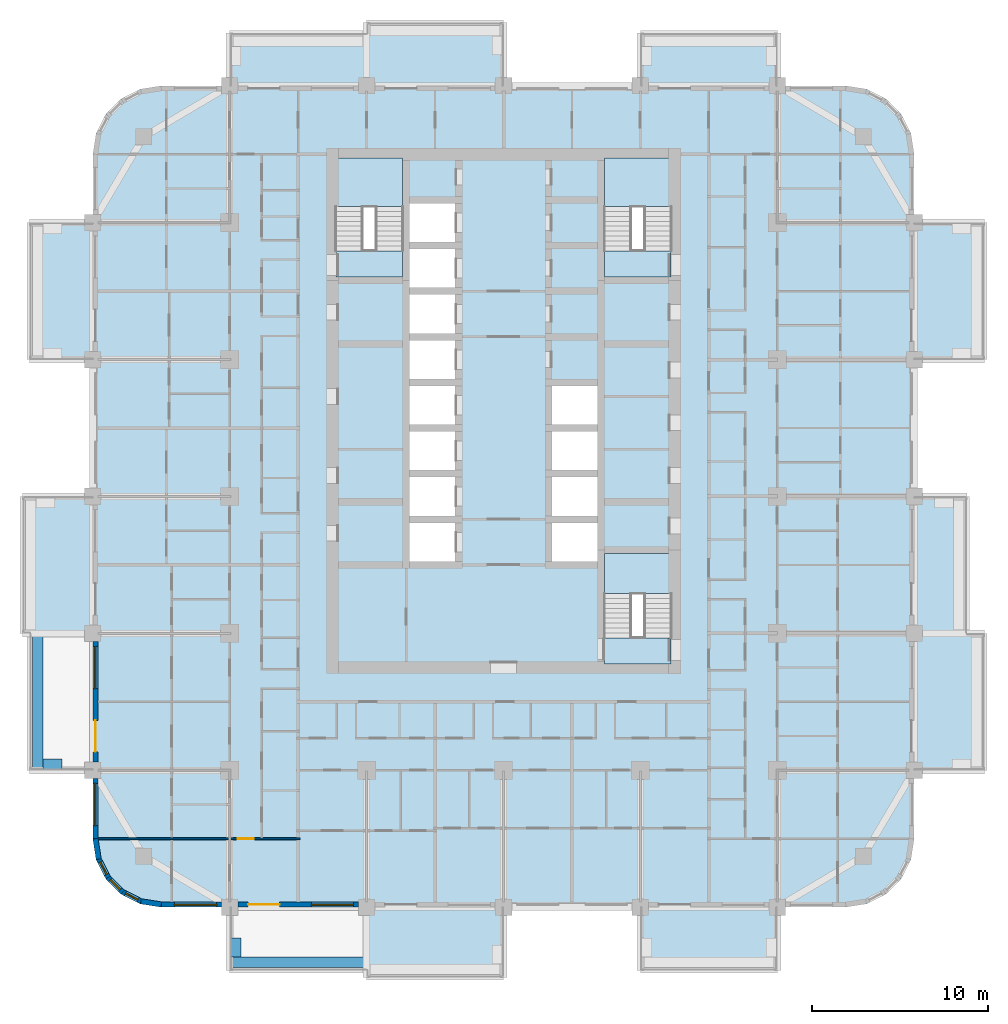
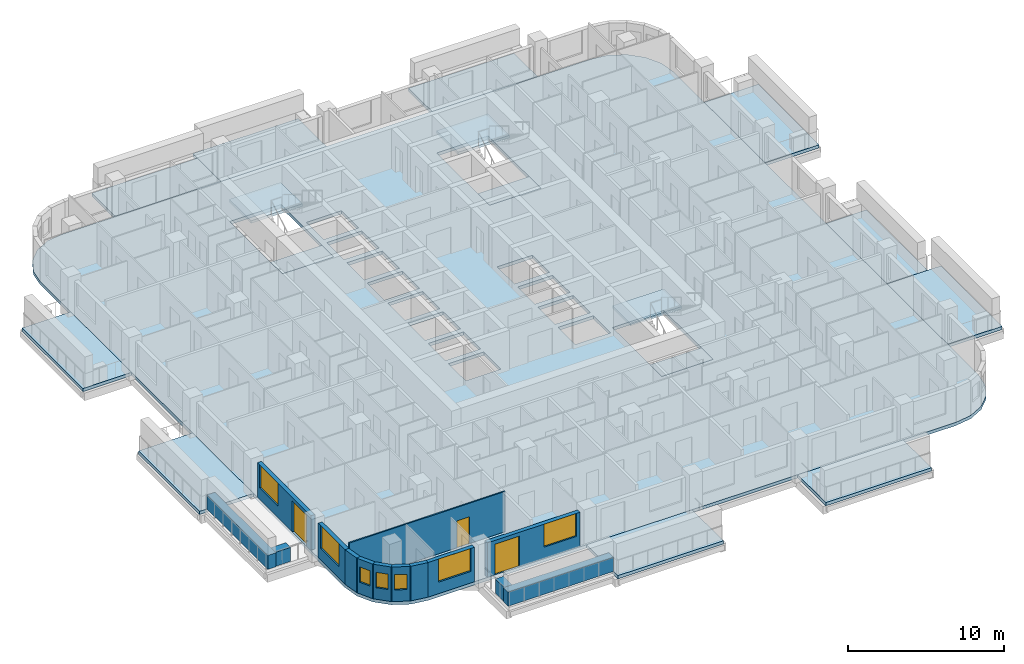
# One storey, part 2 of 18: 17 slabs, 14 walls, 7 windows, 3 doors, 10 openings, 3 elements without a shape of their own.
"""IFC4 building model written with IfcOpenShell, lengths in metres."""

from ifc_helpers import new_model, si_unit, direction, frame, frame_2d, origin, place, context, subcontext, project, spatial, polyline, rectangle, outline, extrude, material, layer, layer_set, type_object, element, fill, aggregate, save


model = new_model("IFC4")

# Units and contexts
model_context = context("Model", 3, precision=1e-05, world=origin(), true_north=direction((0.0, 1.0)))
body_context = subcontext(model_context, "Body", "Model", "MODEL_VIEW")
ifc_project = project(units=[si_unit("LENGTHUNIT", "METRE"), si_unit("AREAUNIT", "SQUARE_METRE"), si_unit("VOLUMEUNIT", "CUBIC_METRE"), si_unit("PLANEANGLEUNIT", "RADIAN"), si_unit("MASSUNIT", "GRAM", prefix="KILO")], contexts=[model_context])

# Site, building, storey
site_placement = place(None, origin())
site = spatial("IfcSite", under=ifc_project, at=site_placement, CompositionType="ELEMENT")
building_placement = place(site_placement, origin())
building = spatial("IfcBuilding", under=site, at=building_placement, Name="Ludao Terraces", CompositionType="ELEMENT")
storey_placement = place(building_placement, frame((0.0, 0.0, 61.39990234375)))
storey = spatial("IfcBuildingStorey", under=building, at=storey_placement, Name="L16", CompositionType="ELEMENT", Elevation=61.39990234375)

# Slabs
ifc_material_1 = material(Name="Concrete C40", Category="concrete")
ifc_layer_1 = layer(ifc_material_1, 0.25)
ifc_layer_set_1 = layer_set([ifc_layer_1], Name="Balcony slab 250 C40")
slab_type_1 = type_object("IfcSlabType", Name="Balcony slab 250 C40", PredefinedType="USERDEFINED", material=ifc_layer_set_1)
slab_1_placement = place(storey_placement, frame((0.0, 0.0, -0.25)))
element("IfcSlab", 1, at=slab_1_placement, inside=storey, type_object=slab_type_1, Name="Balcony L16 S2", ObjectType="BALCONY", PredefinedType="USERDEFINED", context=body_context, shape_type="SweptSolid", body=[
    extrude(outline(polyline([(77.199951171875, 37.60009765625), (85.0, 37.60009765625), (85.0, 41.60009765625), (77.199951171875, 41.60009765625), (77.199951171875, 37.60009765625)])), origin(), (0.0, 0.0, 1.0), 0.25),
])
slab_2_placement = place(storey_placement, frame((0.0, 0.0, -0.25)))
element("IfcSlab", 2, at=slab_2_placement, inside=storey, type_object=slab_type_1, Name="Balcony L16 S4", ObjectType="BALCONY", PredefinedType="USERDEFINED", context=body_context, shape_type="SweptSolid", body=[
    extrude(outline(polyline([(92.800048828125, 38.0), (100.60009765625, 38.0), (100.60009765625, 41.60009765625), (92.800048828125, 41.60009765625), (92.800048828125, 38.0)])), origin(), (0.0, 0.0, 1.0), 0.25),
])
slab_3_placement = place(storey_placement, frame((0.0, 0.0, -0.25)))
element("IfcSlab", 3, at=slab_3_placement, inside=storey, type_object=slab_type_1, Name="Balcony L16 E1", ObjectType="BALCONY", PredefinedType="USERDEFINED", context=body_context, shape_type="SweptSolid", body=[
    extrude(outline(polyline([(108.39990234375, 49.39990234375), (112.39990234375, 49.39990234375), (112.39990234375, 57.199951171875), (108.39990234375, 57.199951171875), (108.39990234375, 49.39990234375)])), origin(), (0.0, 0.0, 1.0), 0.25),
])
slab_4_placement = place(storey_placement, frame((0.0, 0.0, -0.25)))
element("IfcSlab", 4, at=slab_4_placement, inside=storey, type_object=slab_type_1, Name="Balcony L16 E2", ObjectType="BALCONY", PredefinedType="USERDEFINED", context=body_context, shape_type="SweptSolid", body=[
    extrude(outline(polyline([(108.39990234375, 57.199951171875), (111.39990234375, 57.199951171875), (111.39990234375, 65.0), (108.39990234375, 65.0), (108.39990234375, 57.199951171875)])), origin(), (0.0, 0.0, 1.0), 0.25),
])
slab_5_placement = place(storey_placement, frame((0.0, 0.0, -0.25)))
element("IfcSlab", 5, at=slab_5_placement, inside=storey, type_object=slab_type_1, Name="Balcony L16 E4", ObjectType="BALCONY", PredefinedType="USERDEFINED", context=body_context, shape_type="SweptSolid", body=[
    extrude(outline(polyline([(108.39990234375, 72.800048828125), (112.39990234375, 72.800048828125), (112.39990234375, 80.60009765625), (108.39990234375, 80.60009765625), (108.39990234375, 72.800048828125)])), origin(), (0.0, 0.0, 1.0), 0.25),
])
slab_6_placement = place(storey_placement, frame((0.0, 0.0, -0.25)))
element("IfcSlab", 6, at=slab_6_placement, inside=storey, type_object=slab_type_1, Name="Balcony L16 N1", ObjectType="BALCONY", PredefinedType="USERDEFINED", context=body_context, shape_type="SweptSolid", body=[
    extrude(outline(polyline([(69.39990234375, 88.39990234375), (77.199951171875, 88.39990234375), (77.199951171875, 91.39990234375), (69.39990234375, 91.39990234375), (69.39990234375, 88.39990234375)])), origin(), (0.0, 0.0, 1.0), 0.25),
])
slab_7_placement = place(storey_placement, frame((0.0, 0.0, -0.25)))
element("IfcSlab", 7, at=slab_7_placement, inside=storey, type_object=slab_type_1, Name="Balcony L16 N2", ObjectType="BALCONY", PredefinedType="USERDEFINED", context=body_context, shape_type="SweptSolid", body=[
    extrude(outline(polyline([(77.199951171875, 88.39990234375), (85.0, 88.39990234375), (85.0, 92.0), (77.199951171875, 92.0), (77.199951171875, 88.39990234375)])), origin(), (0.0, 0.0, 1.0), 0.25),
])
slab_8_placement = place(storey_placement, frame((0.0, 0.0, -0.25)))
element("IfcSlab", 8, at=slab_8_placement, inside=storey, type_object=slab_type_1, Name="Balcony L16 N4", ObjectType="BALCONY", PredefinedType="USERDEFINED", context=body_context, shape_type="SweptSolid", body=[
    extrude(outline(polyline([(92.800048828125, 88.39990234375), (100.60009765625, 88.39990234375), (100.60009765625, 91.39990234375), (92.800048828125, 91.39990234375), (92.800048828125, 88.39990234375)])), origin(), (0.0, 0.0, 1.0), 0.25),
])
slab_9_placement = place(storey_placement, frame((0.0, 0.0, -0.25)))
element("IfcSlab", 9, at=slab_9_placement, inside=storey, type_object=slab_type_1, Name="Balcony L16 W2", ObjectType="BALCONY", PredefinedType="USERDEFINED", context=body_context, shape_type="SweptSolid", body=[
    extrude(outline(polyline([(57.60009765625, 57.199951171875), (61.60009765625, 57.199951171875), (61.60009765625, 65.0), (57.60009765625, 65.0), (57.60009765625, 57.199951171875)])), origin(), (0.0, 0.0, 1.0), 0.25),
])
slab_10_placement = place(storey_placement, frame((0.0, 0.0, -0.25)))
element("IfcSlab", 10, at=slab_10_placement, inside=storey, type_object=slab_type_1, Name="Balcony L16 W4", ObjectType="BALCONY", PredefinedType="USERDEFINED", context=body_context, shape_type="SweptSolid", body=[
    extrude(outline(polyline([(58.0, 72.800048828125), (61.60009765625, 72.800048828125), (61.60009765625, 80.60009765625), (58.0, 80.60009765625), (58.0, 72.800048828125)])), origin(), (0.0, 0.0, 1.0), 0.25),
])
ifc_layer_2 = layer(ifc_material_1, 0.25)
ifc_layer_set_2 = layer_set([ifc_layer_2], Name="Floor slab 250 C40")
slab_type_2 = type_object("IfcSlabType", Name="Floor slab 250 C40", PredefinedType="FLOOR", material=ifc_layer_set_2)
slab_11_placement = place(storey_placement, frame((0.0, 0.0, -0.25)))
element("IfcSlab", 11, at=slab_11_placement, inside=storey, type_object=slab_type_2, Name="Slab L16", PredefinedType="FLOOR", context=body_context, shape_type="SweptSolid", body=[
    extrude(outline(polyline([(104.5, 41.60009765625), (105.705078125, 41.790771484375), (106.79248046875, 42.3447265625), (107.6552734375, 43.20751953125), (108.209228515625, 44.294921875), (108.39990234375, 45.5), (108.39990234375, 84.5), (108.209228515625, 85.705078125), (107.6552734375, 86.79248046875), (106.79248046875, 87.6552734375), (105.705078125, 88.209228515625), (104.5, 88.39990234375), (65.5, 88.39990234375), (64.294921875, 88.209228515625), (63.20751953125, 87.6552734375), (62.3447265625, 86.79248046875), (61.790771484375, 85.705078125), (61.60009765625, 84.5), (61.60009765625, 45.5), (61.790771484375, 44.294921875), (62.3447265625, 43.20751953125), (63.20751953125, 42.3447265625), (64.294921875, 41.790771484375), (65.5, 41.60009765625), (104.5, 41.60009765625)]), holes=[polyline([(79.64990234375, 61.300048828125), (82.25, 61.300048828125), (82.25, 63.5), (79.64990234375, 63.5), (79.64990234375, 61.300048828125)]), polyline([(79.64990234375, 63.89990234375), (82.25, 63.89990234375), (82.25, 66.10009765625), (79.64990234375, 66.10009765625), (79.64990234375, 63.89990234375)]), polyline([(79.64990234375, 66.5), (82.25, 66.5), (82.25, 68.699951171875), (79.64990234375, 68.699951171875), (79.64990234375, 66.5)]), polyline([(79.64990234375, 69.10009765625), (82.25, 69.10009765625), (82.25, 71.300048828125), (79.64990234375, 71.300048828125), (79.64990234375, 69.10009765625)]), polyline([(79.64990234375, 71.699951171875), (82.25, 71.699951171875), (82.25, 73.89990234375), (79.64990234375, 73.89990234375), (79.64990234375, 71.699951171875)]), polyline([(79.64990234375, 74.300048828125), (82.25, 74.300048828125), (82.25, 76.5), (79.64990234375, 76.5), (79.64990234375, 74.300048828125)]), polyline([(79.64990234375, 76.89990234375), (82.25, 76.89990234375), (82.25, 79.10009765625), (79.64990234375, 79.10009765625), (79.64990234375, 76.89990234375)]), polyline([(79.64990234375, 79.5), (82.25, 79.5), (82.25, 81.699951171875), (79.64990234375, 81.699951171875), (79.64990234375, 79.5)]), polyline([(87.75, 61.300048828125), (90.35009765625, 61.300048828125), (90.35009765625, 63.5), (87.75, 63.5), (87.75, 61.300048828125)]), polyline([(87.75, 63.89990234375), (90.35009765625, 63.89990234375), (90.35009765625, 66.10009765625), (87.75, 66.10009765625), (87.75, 63.89990234375)]), polyline([(87.75, 66.5), (90.35009765625, 66.5), (90.35009765625, 68.699951171875), (87.75, 68.699951171875), (87.75, 66.5)]), polyline([(87.75, 69.10009765625), (90.35009765625, 69.10009765625), (90.35009765625, 71.300048828125), (87.75, 71.300048828125), (87.75, 69.10009765625)]), polyline([(75.449951171875, 77.5), (79.25, 77.5), (79.25, 84.239990234375), (75.449951171875, 84.239990234375), (75.449951171875, 77.5)]), polyline([(90.75, 77.5), (94.550048828125, 77.5), (94.550048828125, 84.239990234375), (90.75, 84.239990234375), (90.75, 77.5)]), polyline([(90.75, 55.449951171875), (94.550048828125, 55.449951171875), (94.550048828125, 61.75), (90.75, 61.75), (90.75, 55.449951171875)])]), origin(), (0.0, 0.0, 1.0), 0.25),
])

# Stair, slabs
stair_type = type_object("IfcStairType", Name="INT Stair", PredefinedType="HALF_TURN_STAIR", material=ifc_material_1)
stair_1_placement = place(storey_placement, origin())
stair_1 = element("IfcStair", 12, at=stair_1_placement, inside=storey, type_object=stair_type, Name="EXIT STAIR 1", PredefinedType="HALF_TURN_STAIR")
ifc_layer_3 = layer(ifc_material_1, 0.199951171875)
ifc_layer_set_3 = layer_set([ifc_layer_3], Name="INT Stair landing 200")
slab_type_3 = type_object("IfcSlabType", Name="INT Stair landing 200", PredefinedType="LANDING", material=ifc_layer_set_3)
slab_12_placement = place(storey_placement, frame((0.0, 0.0, 1.5)))
slab_12 = element("IfcSlab", 13, at=slab_12_placement, type_object=slab_type_3, Name="ST1 landing 1", PredefinedType="LANDING", context=body_context, shape_type="SweptSolid", body=[
    extrude(outline(polyline([(75.449951171875, 81.52001953125), (79.25, 81.52001953125), (79.25, 84.300048828125), (75.449951171875, 84.300048828125), (75.449951171875, 81.52001953125)])), origin(), (0.0, 0.0, 1.0), 0.2001953125),
])
slab_13_placement = place(storey_placement, frame((0.0, 0.0, -0.199951171875)))
slab_13 = element("IfcSlab", 14, at=slab_13_placement, type_object=slab_type_3, Name="ST1 landing 2", PredefinedType="LANDING", context=body_context, shape_type="SweptSolid", body=[
    extrude(outline(polyline([(75.449951171875, 77.5), (79.25, 77.5), (79.25, 79.0), (75.449951171875, 79.0), (75.449951171875, 77.5)])), origin(), (0.0, 0.0, 1.0), 0.199951171875),
])
aggregate(stair_1, [slab_12, slab_13])

stair_2_placement = place(storey_placement, origin())
stair_2 = element("IfcStair", 15, at=stair_2_placement, inside=storey, type_object=stair_type, Name="EXIT STAIR 2", PredefinedType="HALF_TURN_STAIR")
slab_14_placement = place(storey_placement, frame((0.0, 0.0, 1.5)))
slab_14 = element("IfcSlab", 16, at=slab_14_placement, type_object=slab_type_3, Name="ST2 landing 1", PredefinedType="LANDING", context=body_context, shape_type="SweptSolid", body=[
    extrude(outline(polyline([(90.75, 81.52001953125), (94.550048828125, 81.52001953125), (94.550048828125, 84.300048828125), (90.75, 84.300048828125), (90.75, 81.52001953125)])), origin(), (0.0, 0.0, 1.0), 0.2001953125),
])
slab_15_placement = place(storey_placement, frame((0.0, 0.0, -0.199951171875)))
slab_15 = element("IfcSlab", 17, at=slab_15_placement, type_object=slab_type_3, Name="ST2 landing 2", PredefinedType="LANDING", context=body_context, shape_type="SweptSolid", body=[
    extrude(outline(polyline([(90.75, 77.5), (94.550048828125, 77.5), (94.550048828125, 79.0), (90.75, 79.0), (90.75, 77.5)])), origin(), (0.0, 0.0, 1.0), 0.199951171875),
])
aggregate(stair_2, [slab_14, slab_15])

stair_3_placement = place(storey_placement, origin())
stair_3 = element("IfcStair", 18, at=stair_3_placement, inside=storey, type_object=stair_type, Name="EXIT STAIR 3", PredefinedType="HALF_TURN_STAIR")
slab_16_placement = place(storey_placement, frame((0.0, 0.0, 1.5)))
slab_16 = element("IfcSlab", 19, at=slab_16_placement, type_object=slab_type_3, Name="ST3 landing 1", PredefinedType="LANDING", context=body_context, shape_type="SweptSolid", body=[
    extrude(outline(polyline([(90.75, 59.469970703125), (94.550048828125, 59.469970703125), (94.550048828125, 61.75), (90.75, 61.75), (90.75, 59.469970703125)])), origin(), (0.0, 0.0, 1.0), 0.2001953125),
])
slab_17_placement = place(storey_placement, frame((0.0, 0.0, -0.199951171875)))
slab_17 = element("IfcSlab", 20, at=slab_17_placement, type_object=slab_type_3, Name="ST3 landing 2", PredefinedType="LANDING", context=body_context, shape_type="SweptSolid", body=[
    extrude(outline(polyline([(90.75, 55.449951171875), (94.550048828125, 55.449951171875), (94.550048828125, 56.949951171875), (90.75, 56.949951171875), (90.75, 55.449951171875)])), origin(), (0.0, 0.0, 1.0), 0.199951171875),
])
aggregate(stair_3, [slab_16, slab_17])

# Walls
ifc_layer_4 = layer(ifc_material_1, 0.60009765625)
ifc_layer_set_4 = layer_set([ifc_layer_4], Name="ENV Planter trough 600")
wall_type_1 = type_object("IfcWallType", Name="ENV Planter trough 600", PredefinedType="USERDEFINED", material=ifc_layer_set_4)
wall_1_placement = place(storey_placement, frame((69.39990234375, 38.449951171875, 0.0), z_axis=(0.0, 0.0, 1.0), x_axis=(1.0, 0.0, 0.0)))
element("IfcWall", 21, at=wall_1_placement, inside=storey, type_object=wall_type_1, Name="PL-L16-S1", ObjectType="PLANTER", PredefinedType="USERDEFINED", context=body_context, shape_type="SweptSolid", body=[
    extrude(rectangle(XDim=7.800048828125, YDim=0.60009765625, at=frame_2d((3.89990234375, 0.0))), origin(), (0.0, 0.0, 1.0), 1.10009765625),
])
wall_2_placement = place(storey_placement, frame((69.75, 38.75, 0.0), z_axis=(0.0, 0.0, 1.0), x_axis=(0.0, 1.0, 0.0)))
element("IfcWall", 22, at=wall_2_placement, inside=storey, type_object=wall_type_1, Name="PL-L16-S1-SA", ObjectType="PLANTER", PredefinedType="USERDEFINED", context=body_context, shape_type="SweptSolid", body=[
    extrude(rectangle(XDim=1.10009765625, YDim=0.60009765625, at=frame_2d((0.550048828125, 0.0))), origin(), (0.0, 0.0, 1.0), 1.10009765625),
])
wall_3_placement = place(storey_placement, frame((58.449951171875, 49.39990234375, 0.0), z_axis=(0.0, 0.0, 1.0), x_axis=(0.0, 1.0, 0.0)))
element("IfcWall", 23, at=wall_3_placement, inside=storey, type_object=wall_type_1, Name="PL-L16-W1", ObjectType="PLANTER", PredefinedType="USERDEFINED", context=body_context, shape_type="SweptSolid", body=[
    extrude(rectangle(XDim=7.800048828125, YDim=0.60009765625, at=frame_2d((3.89990234375, 0.0))), origin(), (0.0, 0.0, 1.0), 1.10009765625),
])
wall_4_placement = place(storey_placement, frame((58.75, 49.75, 0.0), z_axis=(0.0, 0.0, 1.0), x_axis=(1.0, 0.0, 0.0)))
element("IfcWall", 24, at=wall_4_placement, inside=storey, type_object=wall_type_1, Name="PL-L16-W1-SA", ObjectType="PLANTER", PredefinedType="USERDEFINED", context=body_context, shape_type="SweptSolid", body=[
    extrude(rectangle(XDim=1.10009765625, YDim=0.60009765625, at=frame_2d((0.550048828125, 0.0))), origin(), (0.0, 0.0, 1.0), 1.10009765625),
])

# Wall, opening, window
ifc_material_2 = material(Name="Granite cladding", Category="masonry")
ifc_layer_5 = layer(ifc_material_2, 0.0400390625, Category="stone")
ifc_material_3 = material(Name="Mineral wool")
ifc_layer_6 = layer(ifc_material_3, 0.06005859375)
ifc_layer_7 = layer(ifc_material_1, 0.199951171875, Category="concrete")
ifc_layer_set_5 = layer_set([ifc_layer_5, ifc_layer_6, ifc_layer_7], Name="ENV Stone-clad wall 300")
wall_type_2 = type_object("IfcWallType", Name="ENV Stone-clad wall 300", PredefinedType="SOLIDWALL", material=ifc_layer_set_5)
wall_5_placement = place(storey_placement, frame((65.5, 41.75, 0.0), z_axis=(0.0, 0.0, 1.0), x_axis=(1.0, 0.0, 0.0)))
wall_5 = element("IfcWall", 25, at=wall_5_placement, inside=storey, type_object=wall_type_2, Name="EW-L16-S1", PredefinedType="SOLIDWALL", context=body_context, shape_type="SweptSolid", body=[
    extrude(rectangle(XDim=3.425048828125, YDim=0.300048828125, at=frame_2d((1.71240234375, 0.0))), origin(), (0.0, 0.0, 1.0), 2.7001953125),
])
opening_1_placement = place(wall_5_placement, frame((0.75, 0.0, 0.89990234375)))
opening_1 = element("IfcOpeningElement", 26, at=opening_1_placement, cuts=wall_5, Name="Opening W1", PredefinedType="OPENING", context=body_context, shape_type="SweptSolid", body=[
    extrude(rectangle(XDim=2.39990234375, YDim=1.800048828125, at=frame_2d((1.199951171875, 0.89990234375))), frame((0.0, 0.16015625, 0.0), z_axis=(0.0, -1.0, 0.0), x_axis=(1.0, 0.0, 0.0)), (0.0, 0.0, 1.0), 0.320068359375),
])
ifc_material_4 = material(Name="Clear glass in aluminium frame", Category="aluminium")
ifc_layer_8 = layer(ifc_material_4, 0.06005859375)
ifc_layer_set_6 = layer_set([ifc_layer_8], Name="ENV Window W1 2400x1800")
window_type_1 = type_object("IfcWindowType", Name="ENV Window W1 2400x1800", PartitioningType="DOUBLE_PANEL_VERTICAL", PredefinedType="WINDOW", material=ifc_layer_set_6)
window_1_placement = place(opening_1_placement, origin())
window_1 = element("IfcWindow", 27, at=window_1_placement, inside=storey, type_object=window_type_1, Name="W-L16-S1-1", OverallHeight=1.800048828125, OverallWidth=2.39990234375, PartitioningType="DOUBLE_PANEL_VERTICAL", PredefinedType="WINDOW", context=body_context, shape_type="SweptSolid", body=[
    extrude(rectangle(XDim=2.39990234375, YDim=1.800048828125, at=frame_2d((1.199951171875, 0.89990234375))), frame((0.0, 0.030029296875, 0.0), z_axis=(0.0, -1.0, 0.0), x_axis=(1.0, 0.0, 0.0)), (0.0, 0.0, 1.0), 0.06005859375),
])
fill(opening_1, window_1)

# Wall, openings, door, window
wall_6_placement = place(storey_placement, frame((69.875, 41.75, 0.0), z_axis=(0.0, 0.0, 1.0), x_axis=(1.0, 0.0, 0.0)))
wall_6 = element("IfcWall", 28, at=wall_6_placement, inside=storey, type_object=wall_type_2, Name="EW-L16-S2", PredefinedType="SOLIDWALL", context=body_context, shape_type="SweptSolid", body=[
    extrude(rectangle(XDim=6.85009765625, YDim=0.300048828125, at=frame_2d((3.425048828125, 0.0))), origin(), (0.0, 0.0, 1.0), 2.7001953125),
])
opening_2_placement = place(wall_6_placement, frame((0.574951171875, 0.0, 0.0)))
opening_2 = element("IfcOpeningElement", 29, at=opening_2_placement, cuts=wall_6, Name="Opening BD", PredefinedType="OPENING", context=body_context, shape_type="SweptSolid", body=[
    extrude(rectangle(XDim=1.800048828125, YDim=2.39990234375, at=frame_2d((0.89990234375, 1.199951171875))), frame((0.0, 0.16015625, 0.0), z_axis=(0.0, -1.0, 0.0), x_axis=(1.0, 0.0, 0.0)), (0.0, 0.0, 1.0), 0.320068359375),
])
opening_3_placement = place(wall_6_placement, frame((4.175048828125, 0.0, 0.89990234375)))
opening_3 = element("IfcOpeningElement", 30, at=opening_3_placement, cuts=wall_6, Name="Opening W1", PredefinedType="OPENING", context=body_context, shape_type="SweptSolid", body=[
    extrude(rectangle(XDim=2.39990234375, YDim=1.800048828125, at=frame_2d((1.199951171875, 0.89990234375))), frame((0.0, 0.16015625, 0.0), z_axis=(0.0, -1.0, 0.0), x_axis=(1.0, 0.0, 0.0)), (0.0, 0.0, 1.0), 0.320068359375),
])
ifc_material_5 = material(Name="Aluminium glazed door", Category="aluminium")
ifc_layer_9 = layer(ifc_material_5, 0.06005859375)
ifc_layer_set_7 = layer_set([ifc_layer_9], Name="ENV Balcony door BD 1800x2400")
door_type_1 = type_object("IfcDoorType", Name="ENV Balcony door BD 1800x2400", OperationType="DOUBLE_DOOR_SINGLE_SWING", PredefinedType="DOOR", material=ifc_layer_set_7)
door_1_placement = place(opening_2_placement, origin())
door_1 = element("IfcDoor", 31, at=door_1_placement, inside=storey, type_object=door_type_1, Name="BD-L16-S2-1", OperationType="DOUBLE_DOOR_SINGLE_SWING", OverallHeight=2.39990234375, OverallWidth=1.800048828125, PredefinedType="DOOR", context=body_context, shape_type="SweptSolid", body=[
    extrude(rectangle(XDim=1.800048828125, YDim=2.39990234375, at=frame_2d((0.89990234375, 1.199951171875))), frame((0.0, 0.02490234375, 0.0), z_axis=(0.0, -1.0, 0.0), x_axis=(1.0, 0.0, 0.0)), (0.0, 0.0, 1.0), 0.050048828125),
])
fill(opening_2, door_1)
window_2_placement = place(opening_3_placement, origin())
window_2 = element("IfcWindow", 32, at=window_2_placement, inside=storey, type_object=window_type_1, Name="W-L16-S2-2", OverallHeight=1.800048828125, OverallWidth=2.39990234375, PartitioningType="DOUBLE_PANEL_VERTICAL", PredefinedType="WINDOW", context=body_context, shape_type="SweptSolid", body=[
    extrude(rectangle(XDim=2.39990234375, YDim=1.800048828125, at=frame_2d((1.199951171875, 0.89990234375))), frame((0.0, 0.030029296875, 0.0), z_axis=(0.0, -1.0, 0.0), x_axis=(1.0, 0.0, 0.0)), (0.0, 0.0, 1.0), 0.06005859375),
])
fill(opening_3, window_2)

# Wall, opening, window
wall_7_placement = place(storey_placement, frame((61.75, 45.5, 0.0), z_axis=(0.0, 0.0, 1.0), x_axis=(0.0, 1.0, 0.0)))
wall_7 = element("IfcWall", 33, at=wall_7_placement, inside=storey, type_object=wall_type_2, Name="EW-L16-W1", PredefinedType="SOLIDWALL", context=body_context, shape_type="SweptSolid", body=[
    extrude(rectangle(XDim=3.425048828125, YDim=0.300048828125, at=frame_2d((1.71240234375, 0.0))), origin(), (0.0, 0.0, 1.0), 2.7001953125),
])
opening_4_placement = place(wall_7_placement, frame((0.75, 0.0, 0.89990234375)))
opening_4 = element("IfcOpeningElement", 34, at=opening_4_placement, cuts=wall_7, Name="Opening W1", PredefinedType="OPENING", context=body_context, shape_type="SweptSolid", body=[
    extrude(rectangle(XDim=2.39990234375, YDim=1.800048828125, at=frame_2d((1.199951171875, 0.89990234375))), frame((0.0, 0.16015625, 0.0), z_axis=(0.0, -1.0, 0.0), x_axis=(1.0, 0.0, 0.0)), (0.0, 0.0, 1.0), 0.320068359375),
])
window_3_placement = place(opening_4_placement, origin())
window_3 = element("IfcWindow", 35, at=window_3_placement, inside=storey, type_object=window_type_1, Name="W-L16-W1-1", OverallHeight=1.800048828125, OverallWidth=2.39990234375, PartitioningType="DOUBLE_PANEL_VERTICAL", PredefinedType="WINDOW", context=body_context, shape_type="SweptSolid", body=[
    extrude(rectangle(XDim=2.39990234375, YDim=1.800048828125, at=frame_2d((1.199951171875, 0.89990234375))), frame((0.0, 0.030029296875, 0.0), z_axis=(0.0, -1.0, 0.0), x_axis=(1.0, 0.0, 0.0)), (0.0, 0.0, 1.0), 0.06005859375),
])
fill(opening_4, window_3)

# Wall, openings, door, window
wall_8_placement = place(storey_placement, frame((61.75, 49.875, 0.0), z_axis=(0.0, 0.0, 1.0), x_axis=(0.0, 1.0, 0.0)))
wall_8 = element("IfcWall", 36, at=wall_8_placement, inside=storey, type_object=wall_type_2, Name="EW-L16-W2", PredefinedType="SOLIDWALL", context=body_context, shape_type="SweptSolid", body=[
    extrude(rectangle(XDim=6.85009765625, YDim=0.300048828125, at=frame_2d((3.425048828125, 0.0))), origin(), (0.0, 0.0, 1.0), 2.7001953125),
])
opening_5_placement = place(wall_8_placement, frame((0.574951171875, 0.0, 0.0)))
opening_5 = element("IfcOpeningElement", 37, at=opening_5_placement, cuts=wall_8, Name="Opening BD", PredefinedType="OPENING", context=body_context, shape_type="SweptSolid", body=[
    extrude(rectangle(XDim=1.800048828125, YDim=2.39990234375, at=frame_2d((0.89990234375, 1.199951171875))), frame((0.0, 0.16015625, 0.0), z_axis=(0.0, -1.0, 0.0), x_axis=(1.0, 0.0, 0.0)), (0.0, 0.0, 1.0), 0.320068359375),
])
opening_6_placement = place(wall_8_placement, frame((4.175048828125, 0.0, 0.89990234375)))
opening_6 = element("IfcOpeningElement", 38, at=opening_6_placement, cuts=wall_8, Name="Opening W1", PredefinedType="OPENING", context=body_context, shape_type="SweptSolid", body=[
    extrude(rectangle(XDim=2.39990234375, YDim=1.800048828125, at=frame_2d((1.199951171875, 0.89990234375))), frame((0.0, 0.16015625, 0.0), z_axis=(0.0, -1.0, 0.0), x_axis=(1.0, 0.0, 0.0)), (0.0, 0.0, 1.0), 0.320068359375),
])
door_2_placement = place(opening_5_placement, origin())
door_2 = element("IfcDoor", 39, at=door_2_placement, inside=storey, type_object=door_type_1, Name="BD-L16-W2-1", OperationType="DOUBLE_DOOR_SINGLE_SWING", OverallHeight=2.39990234375, OverallWidth=1.800048828125, PredefinedType="DOOR", context=body_context, shape_type="SweptSolid", body=[
    extrude(rectangle(XDim=1.800048828125, YDim=2.39990234375, at=frame_2d((0.89990234375, 1.199951171875))), frame((0.0, 0.02490234375, 0.0), z_axis=(0.0, -1.0, 0.0), x_axis=(1.0, 0.0, 0.0)), (0.0, 0.0, 1.0), 0.050048828125),
])
fill(opening_5, door_2)
window_4_placement = place(opening_6_placement, origin())
window_4 = element("IfcWindow", 40, at=window_4_placement, inside=storey, type_object=window_type_1, Name="W-L16-W2-2", OverallHeight=1.800048828125, OverallWidth=2.39990234375, PartitioningType="DOUBLE_PANEL_VERTICAL", PredefinedType="WINDOW", context=body_context, shape_type="SweptSolid", body=[
    extrude(rectangle(XDim=2.39990234375, YDim=1.800048828125, at=frame_2d((1.199951171875, 0.89990234375))), frame((0.0, 0.030029296875, 0.0), z_axis=(0.0, -1.0, 0.0), x_axis=(1.0, 0.0, 0.0)), (0.0, 0.0, 1.0), 0.06005859375),
])
fill(opening_6, window_4)

# Wall
wall_9_placement = place(storey_placement, frame((61.75, 45.5, 0.0), z_axis=(0.0, 0.0, 1.0), x_axis=(0.156496880861, -0.987678452879, 0.0)))
element("IfcWall", 41, at=wall_9_placement, inside=storey, type_object=wall_type_2, Name="EW-L16-SW1", PredefinedType="SOLIDWALL", context=body_context, shape_type="SweptSolid", body=[
    extrude(rectangle(XDim=1.173095703125, YDim=0.300048828125, at=frame_2d((0.58642578125, 0.0))), origin(), (0.0, 0.0, 1.0), 2.7001953125),
])

# Wall, opening, window
wall_10_placement = place(storey_placement, frame((61.93359375, 44.34130859375, 0.0), z_axis=(0.0, 0.0, 1.0), x_axis=(0.454025524128, -0.890988677504, 0.0)))
wall_10 = element("IfcWall", 42, at=wall_10_placement, inside=storey, type_object=wall_type_2, Name="EW-L16-SW2", PredefinedType="SOLIDWALL", context=body_context, shape_type="SweptSolid", body=[
    extrude(rectangle(XDim=1.17333984375, YDim=0.300048828125, at=frame_2d((0.586669921875, 0.0))), origin(), (0.0, 0.0, 1.0), 2.7001953125),
])
opening_7_placement = place(wall_10_placement, frame((0.1865234375, 0.0, 0.89990234375)))
opening_7 = element("IfcOpeningElement", 43, at=opening_7_placement, cuts=wall_10, Name="Opening W3", PredefinedType="OPENING", context=body_context, shape_type="SweptSolid", body=[
    extrude(rectangle(XDim=0.800048828125, YDim=1.199951171875, at=frame_2d((0.39990234375, 0.60009765625))), frame((0.0, 0.16015625, 0.0), z_axis=(0.0, -1.0, 0.0), x_axis=(1.0, 0.0, 0.0)), (0.0, 0.0, 1.0), 0.320068359375),
])
ifc_layer_10 = layer(ifc_material_4, 0.06005859375)
ifc_layer_set_8 = layer_set([ifc_layer_10], Name="ENV Window W3 800x1200")
window_type_2 = type_object("IfcWindowType", Name="ENV Window W3 800x1200", PartitioningType="SINGLE_PANEL", PredefinedType="WINDOW", material=ifc_layer_set_8)
window_5_placement = place(opening_7_placement, origin())
window_5 = element("IfcWindow", 44, at=window_5_placement, inside=storey, type_object=window_type_2, Name="W-L16-SW2", OverallHeight=1.199951171875, OverallWidth=0.800048828125, PartitioningType="SINGLE_PANEL", PredefinedType="WINDOW", context=body_context, shape_type="SweptSolid", body=[
    extrude(rectangle(XDim=0.800048828125, YDim=1.199951171875, at=frame_2d((0.39990234375, 0.60009765625))), frame((0.0, 0.030029296875, 0.0), z_axis=(0.0, -1.0, 0.0), x_axis=(1.0, 0.0, 0.0)), (0.0, 0.0, 1.0), 0.06005859375),
])
fill(opening_7, window_5)

wall_11_placement = place(storey_placement, frame((62.46630859375, 43.2958984375, 0.0), z_axis=(0.0, 0.0, 1.0), x_axis=(0.707106781187, -0.707106781187, 0.0)))
wall_11 = element("IfcWall", 45, at=wall_11_placement, inside=storey, type_object=wall_type_2, Name="EW-L16-SW3", PredefinedType="SOLIDWALL", context=body_context, shape_type="SweptSolid", body=[
    extrude(rectangle(XDim=1.173095703125, YDim=0.300048828125, at=frame_2d((0.58642578125, 0.0))), origin(), (0.0, 0.0, 1.0), 2.7001953125),
])
opening_8_placement = place(wall_11_placement, frame((0.1865234375, 0.0, 0.89990234375)))
opening_8 = element("IfcOpeningElement", 46, at=opening_8_placement, cuts=wall_11, Name="Opening W3", PredefinedType="OPENING", context=body_context, shape_type="SweptSolid", body=[
    extrude(rectangle(XDim=0.800048828125, YDim=1.199951171875, at=frame_2d((0.39990234375, 0.60009765625))), frame((0.0, 0.16015625, 0.0), z_axis=(0.0, -1.0, 0.0), x_axis=(1.0, 0.0, 0.0)), (0.0, 0.0, 1.0), 0.320068359375),
])
window_6_placement = place(opening_8_placement, origin())
window_6 = element("IfcWindow", 47, at=window_6_placement, inside=storey, type_object=window_type_2, Name="W-L16-SW3", OverallHeight=1.199951171875, OverallWidth=0.800048828125, PartitioningType="SINGLE_PANEL", PredefinedType="WINDOW", context=body_context, shape_type="SweptSolid", body=[
    extrude(rectangle(XDim=0.800048828125, YDim=1.199951171875, at=frame_2d((0.39990234375, 0.60009765625))), frame((0.0, 0.030029296875, 0.0), z_axis=(0.0, -1.0, 0.0), x_axis=(1.0, 0.0, 0.0)), (0.0, 0.0, 1.0), 0.06005859375),
])
fill(opening_8, window_6)

wall_12_placement = place(storey_placement, frame((63.2958984375, 42.46630859375, 0.0), z_axis=(0.0, 0.0, 1.0), x_axis=(0.890988677504, -0.454025524128, 0.0)))
wall_12 = element("IfcWall", 48, at=wall_12_placement, inside=storey, type_object=wall_type_2, Name="EW-L16-SW4", PredefinedType="SOLIDWALL", context=body_context, shape_type="SweptSolid", body=[
    extrude(rectangle(XDim=1.17333984375, YDim=0.300048828125, at=frame_2d((0.586669921875, 0.0))), origin(), (0.0, 0.0, 1.0), 2.7001953125),
])
opening_9_placement = place(wall_12_placement, frame((0.1865234375, 0.0, 0.89990234375)))
opening_9 = element("IfcOpeningElement", 49, at=opening_9_placement, cuts=wall_12, Name="Opening W3", PredefinedType="OPENING", context=body_context, shape_type="SweptSolid", body=[
    extrude(rectangle(XDim=0.800048828125, YDim=1.199951171875, at=frame_2d((0.39990234375, 0.60009765625))), frame((0.0, 0.16015625, 0.0), z_axis=(0.0, -1.0, 0.0), x_axis=(1.0, 0.0, 0.0)), (0.0, 0.0, 1.0), 0.320068359375),
])
window_7_placement = place(opening_9_placement, origin())
window_7 = element("IfcWindow", 50, at=window_7_placement, inside=storey, type_object=window_type_2, Name="W-L16-SW4", OverallHeight=1.199951171875, OverallWidth=0.800048828125, PartitioningType="SINGLE_PANEL", PredefinedType="WINDOW", context=body_context, shape_type="SweptSolid", body=[
    extrude(rectangle(XDim=0.800048828125, YDim=1.199951171875, at=frame_2d((0.39990234375, 0.60009765625))), frame((0.0, 0.030029296875, 0.0), z_axis=(0.0, -1.0, 0.0), x_axis=(1.0, 0.0, 0.0)), (0.0, 0.0, 1.0), 0.06005859375),
])
fill(opening_9, window_7)

# Wall
wall_13_placement = place(storey_placement, frame((64.34130859375, 41.93359375, 0.0), z_axis=(0.0, 0.0, 1.0), x_axis=(0.987678452879, -0.156496880861, 0.0)))
element("IfcWall", 51, at=wall_13_placement, inside=storey, type_object=wall_type_2, Name="EW-L16-SW5", PredefinedType="SOLIDWALL", context=body_context, shape_type="SweptSolid", body=[
    extrude(rectangle(XDim=1.173095703125, YDim=0.300048828125, at=frame_2d((0.58642578125, 0.0))), origin(), (0.0, 0.0, 1.0), 2.7001953125),
])

# Wall, opening, door
ifc_material_6 = material(Name="Gypsum plasterboard", Category="gypsum")
ifc_layer_11 = layer(ifc_material_6, 0.012451171875, Category="gypsum")
ifc_layer_12 = layer(ifc_material_3, 0.06005859375, Name="insulation")
ifc_material_7 = material(Name="Steel Q235", Category="steel")
ifc_layer_13 = layer(ifc_material_7, 0.014892578125, Name="stud")
ifc_layer_14 = layer(ifc_material_6, 0.012451171875, Category="gypsum")
ifc_layer_set_9 = layer_set([ifc_layer_11, ifc_layer_12, ifc_layer_13, ifc_layer_14], Name="INT Partition 100")
wall_type_3 = type_object("IfcWallType", Name="INT Partition 100", PredefinedType="PARTITIONING", material=ifc_layer_set_9)
wall_14_placement = place(storey_placement, frame((61.900146484375, 45.5, 0.0), z_axis=(0.0, 0.0, 1.0), x_axis=(1.0, 0.0, 0.0)))
wall_14 = element("IfcWall", 52, at=wall_14_placement, inside=storey, type_object=wall_type_3, Name="PW-L16-PW000", PredefinedType="PARTITIONING", context=body_context, shape_type="SweptSolid", body=[
    extrude(rectangle(XDim=11.5, YDim=0.10009765625, at=frame_2d((5.75, 0.0))), origin(), (0.0, 0.0, 1.0), 3.150146484375),
])
opening_10_placement = place(wall_14_placement, frame((7.965087890625, 0.0, 0.0)))
opening_10 = element("IfcOpeningElement", 53, at=opening_10_placement, cuts=wall_14, Name="Opening R05-005", PredefinedType="OPENING", context=body_context, shape_type="SweptSolid", body=[
    extrude(rectangle(XDim=0.89990234375, YDim=2.10009765625, at=frame_2d((0.449951171875, 1.050048828125))), frame((0.0, 0.06005859375, 0.0), z_axis=(0.0, -1.0, 0.0), x_axis=(1.0, 0.0, 0.0)), (0.0, 0.0, 1.0), 0.1201171875),
])
ifc_material_8 = material(Name="Timber door leaf", Category="wood")
door_type_2 = type_object("IfcDoorType", Name="INT Room door 900", OperationType="SINGLE_SWING_LEFT", PredefinedType="DOOR", material=ifc_material_8)
door_3_placement = place(opening_10_placement, origin())
door_3 = element("IfcDoor", 54, at=door_3_placement, inside=storey, type_object=door_type_2, Name="DOOR 005", OperationType="SINGLE_SWING_LEFT", OverallHeight=2.10009765625, OverallWidth=0.89990234375, PredefinedType="DOOR", context=body_context, shape_type="SweptSolid", body=[
    extrude(rectangle(XDim=0.89990234375, YDim=2.10009765625, at=frame_2d((0.449951171875, 1.050048828125))), frame((0.0, 0.02490234375, 0.0), z_axis=(0.0, -1.0, 0.0), x_axis=(1.0, 0.0, 0.0)), (0.0, 0.0, 1.0), 0.050048828125),
])
fill(opening_10, door_3)

save(model, "model.ifc")
